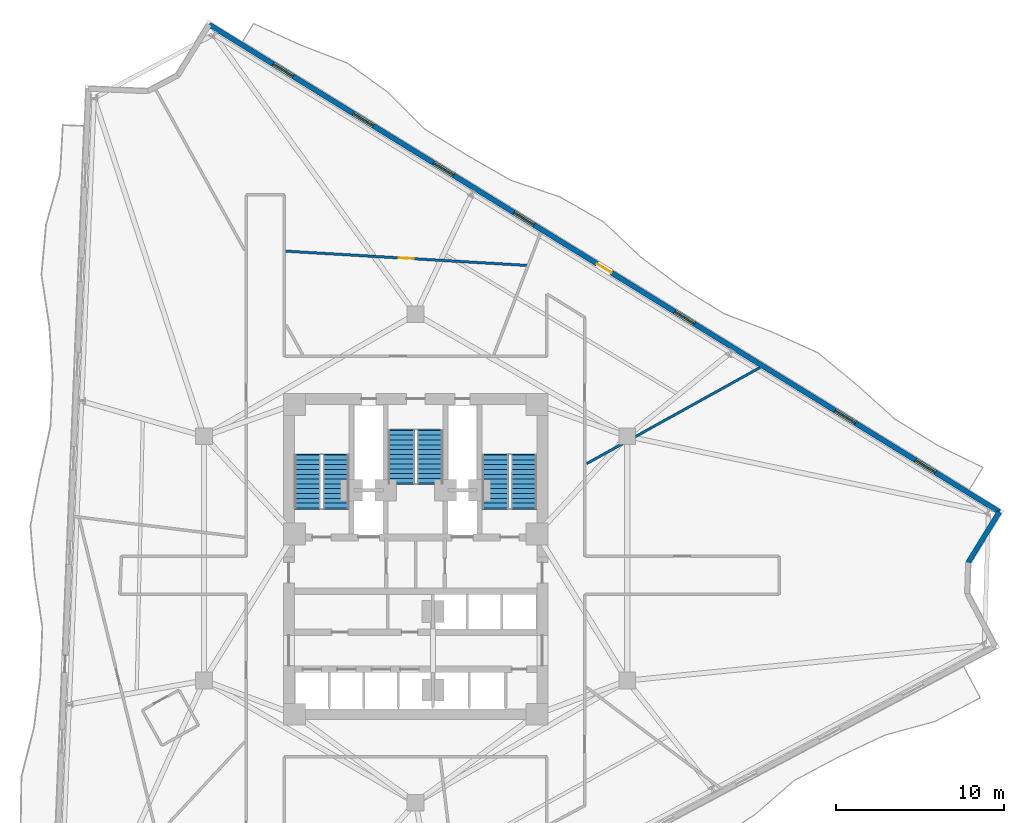
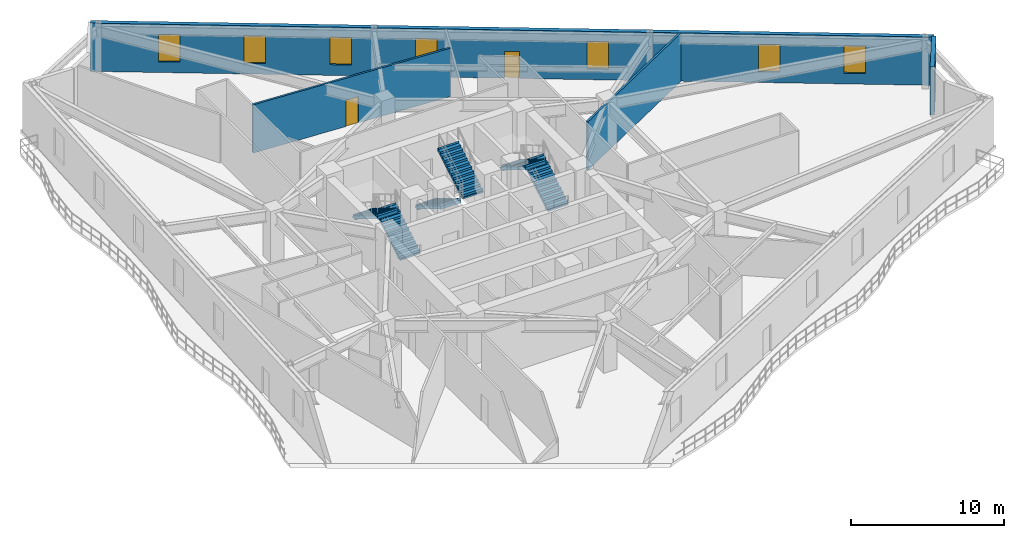
# One storey, part 8 of 12: 7 windows, 6 stair flights, 4 walls, 2 doors, 9 openings, 3 elements without a shape of their own.
"""IFC4 building model written with IfcOpenShell, lengths in metres."""

from ifc_helpers import new_model, si_unit, direction, frame, frame_2d, origin, place, context, subcontext, project, spatial, polyline, rectangle, outline, extrude, material, layer, layer_set, type_object, element, fill, aggregate, save


model = new_model("IFC4")

# Units and contexts
model_context = context("Model", 3, precision=1e-05, world=origin(), true_north=direction((0.0, 1.0)))
body_context = subcontext(model_context, "Body", "Model", "MODEL_VIEW")
ifc_project = project(units=[si_unit("LENGTHUNIT", "METRE"), si_unit("AREAUNIT", "SQUARE_METRE"), si_unit("VOLUMEUNIT", "CUBIC_METRE"), si_unit("PLANEANGLEUNIT", "RADIAN"), si_unit("MASSUNIT", "GRAM", prefix="KILO")], contexts=[model_context])

# Site, building, storey
site_placement = place(None, origin())
site = spatial("IfcSite", under=ifc_project, at=site_placement, CompositionType="ELEMENT")
building_placement = place(site_placement, origin())
building = spatial("IfcBuilding", under=site, at=building_placement, Name="Apsidion Concourse Tower", CompositionType="ELEMENT")
storey_placement = place(building_placement, frame((0.0, 0.0, 165.5)))
storey = spatial("IfcBuildingStorey", under=building, at=storey_placement, Name="L38", CompositionType="ELEMENT", Elevation=165.5)

# Wall, openings, door, windows
ifc_material_1 = material(Name="Precast concrete C40/50", Category="concrete")
ifc_layer_1 = layer(ifc_material_1, 0.300048828125)
ifc_layer_set_1 = layer_set([ifc_layer_1], Name="Precast concrete C40/50")
wall_type_1 = type_object("IfcWallType", Name="WL-EXT-300", PredefinedType="STANDARD", material=ifc_layer_set_1)
wall_1_placement = place(storey_placement, frame((-12.255126953125, 31.68896484375, 0.0), z_axis=(0.0, 0.0, 1.0), x_axis=(0.851166647402, -0.524895549944, 0.0)))
wall_1 = element("IfcWall", 1, at=wall_1_placement, inside=storey, type_object=wall_type_1, Name="L38 Precast Stone Facade Wall 01", PredefinedType="STANDARD", context=body_context, shape_type="SweptSolid", body=[
    extrude(rectangle(XDim=55.110595703125, YDim=0.300048828125, at=frame_2d((27.55517578125, 0.0))), origin(), (0.0, 0.0, 1.0), 3.85009765625),
])
opening_1_placement = place(wall_1_placement, frame((27.055419921875, 0.0, 0.0)))
opening_1 = element("IfcOpeningElement", 2, at=opening_1_placement, cuts=wall_1, Name="Opening D-T1L", PredefinedType="OPENING", context=body_context, shape_type="SweptSolid", body=[
    extrude(rectangle(XDim=1.0, YDim=2.14990234375, at=frame_2d((0.5, 1.074951171875))), frame((0.0, 0.16015625, 0.0), z_axis=(0.0, -1.0, 0.0), x_axis=(1.0, 0.0, 0.0)), (0.0, 0.0, 1.0), 0.320068359375),
])
opening_2_placement = place(wall_1_placement, frame((4.455322265625, 0.0, 0.85009765625)))
opening_2 = element("IfcOpeningElement", 3, at=opening_2_placement, cuts=wall_1, Name="Opening WN-05", PredefinedType="OPENING", context=body_context, shape_type="SweptSolid", body=[
    extrude(rectangle(XDim=1.39990234375, YDim=2.199951171875, at=frame_2d((0.699951171875, 1.10009765625))), frame((0.0, 0.16015625, 0.0), z_axis=(0.0, -1.0, 0.0), x_axis=(1.0, 0.0, 0.0)), (0.0, 0.0, 1.0), 0.320068359375),
])
opening_3_placement = place(wall_1_placement, frame((10.055419921875, 0.0, 0.85009765625)))
opening_3 = element("IfcOpeningElement", 4, at=opening_3_placement, cuts=wall_1, Name="Opening WN-05", PredefinedType="OPENING", context=body_context, shape_type="SweptSolid", body=[
    extrude(rectangle(XDim=1.39990234375, YDim=2.199951171875, at=frame_2d((0.699951171875, 1.10009765625))), frame((0.0, 0.16015625, 0.0), z_axis=(0.0, -1.0, 0.0), x_axis=(1.0, 0.0, 0.0)), (0.0, 0.0, 1.0), 0.320068359375),
])
opening_4_placement = place(wall_1_placement, frame((15.6552734375, 0.0, 0.85009765625)))
opening_4 = element("IfcOpeningElement", 5, at=opening_4_placement, cuts=wall_1, Name="Opening WN-05", PredefinedType="OPENING", context=body_context, shape_type="SweptSolid", body=[
    extrude(rectangle(XDim=1.39990234375, YDim=2.199951171875, at=frame_2d((0.699951171875, 1.10009765625))), frame((0.0, 0.16015625, 0.0), z_axis=(0.0, -1.0, 0.0), x_axis=(1.0, 0.0, 0.0)), (0.0, 0.0, 1.0), 0.320068359375),
])
opening_5_placement = place(wall_1_placement, frame((21.25537109375, 0.0, 0.85009765625)))
opening_5 = element("IfcOpeningElement", 6, at=opening_5_placement, cuts=wall_1, Name="Opening WN-05", PredefinedType="OPENING", context=body_context, shape_type="SweptSolid", body=[
    extrude(rectangle(XDim=1.39990234375, YDim=2.199951171875, at=frame_2d((0.699951171875, 1.10009765625))), frame((0.0, 0.16015625, 0.0), z_axis=(0.0, -1.0, 0.0), x_axis=(1.0, 0.0, 0.0)), (0.0, 0.0, 1.0), 0.320068359375),
])
opening_6_placement = place(wall_1_placement, frame((32.455322265625, 0.0, 0.85009765625)))
opening_6 = element("IfcOpeningElement", 7, at=opening_6_placement, cuts=wall_1, Name="Opening WN-05", PredefinedType="OPENING", context=body_context, shape_type="SweptSolid", body=[
    extrude(rectangle(XDim=1.39990234375, YDim=2.199951171875, at=frame_2d((0.699951171875, 1.10009765625))), frame((0.0, 0.16015625, 0.0), z_axis=(0.0, -1.0, 0.0), x_axis=(1.0, 0.0, 0.0)), (0.0, 0.0, 1.0), 0.320068359375),
])
opening_7_placement = place(wall_1_placement, frame((43.6552734375, 0.0, 0.85009765625)))
opening_7 = element("IfcOpeningElement", 8, at=opening_7_placement, cuts=wall_1, Name="Opening WN-05", PredefinedType="OPENING", context=body_context, shape_type="SweptSolid", body=[
    extrude(rectangle(XDim=1.39990234375, YDim=2.199951171875, at=frame_2d((0.699951171875, 1.10009765625))), frame((0.0, 0.16015625, 0.0), z_axis=(0.0, -1.0, 0.0), x_axis=(1.0, 0.0, 0.0)), (0.0, 0.0, 1.0), 0.320068359375),
])
opening_8_placement = place(wall_1_placement, frame((49.25537109375, 0.0, 0.85009765625)))
opening_8 = element("IfcOpeningElement", 9, at=opening_8_placement, cuts=wall_1, Name="Opening WN-05", PredefinedType="OPENING", context=body_context, shape_type="SweptSolid", body=[
    extrude(rectangle(XDim=1.39990234375, YDim=2.199951171875, at=frame_2d((0.699951171875, 1.10009765625))), frame((0.0, 0.16015625, 0.0), z_axis=(0.0, -1.0, 0.0), x_axis=(1.0, 0.0, 0.0)), (0.0, 0.0, 1.0), 0.320068359375),
])
ifc_material_2 = material(Name="Anodised aluminium EN AW-6063 T6", Category="aluminium")
door_type_1 = type_object("IfcDoorType", Name="DR-TER-1022L", OperationType="SINGLE_SWING_LEFT", PredefinedType="DOOR", material=ifc_material_2)
door_1_placement = place(opening_1_placement, origin())
door_1 = element("IfcDoor", 10, at=door_1_placement, inside=storey, type_object=door_type_1, Name="L38 Balcony Access Door 3", OperationType="SINGLE_SWING_LEFT", OverallHeight=2.14990234375, OverallWidth=1.0, PredefinedType="DOOR", context=body_context, shape_type="SweptSolid", body=[
    extrude(rectangle(XDim=1.0, YDim=2.14990234375, at=frame_2d((0.5, 1.074951171875))), frame((0.0, 0.02490234375, 0.0), z_axis=(0.0, -1.0, 0.0), x_axis=(1.0, 0.0, 0.0)), (0.0, 0.0, 1.0), 0.050048828125),
])
fill(opening_1, door_1)
ifc_material_3 = material(Name="Insulated laminated low-E glass", Category="glass")
window_type = type_object("IfcWindowType", Name="WN-OFF-1424", PartitioningType="SINGLE_PANEL", PredefinedType="WINDOW", material=ifc_material_3)
window_1_placement = place(opening_2_placement, origin())
window_1 = element("IfcWindow", 11, at=window_1_placement, inside=storey, type_object=window_type, Name="L38 Punched Facade Window 1-01", OverallHeight=2.199951171875, OverallWidth=1.39990234375, PartitioningType="SINGLE_PANEL", PredefinedType="WINDOW", context=body_context, shape_type="SweptSolid", body=[
    extrude(rectangle(XDim=1.39990234375, YDim=2.199951171875, at=frame_2d((0.699951171875, 1.10009765625))), frame((0.0, 0.030029296875, 0.0), z_axis=(0.0, -1.0, 0.0), x_axis=(1.0, 0.0, 0.0)), (0.0, 0.0, 1.0), 0.06005859375),
])
fill(opening_2, window_1)
window_2_placement = place(opening_3_placement, origin())
window_2 = element("IfcWindow", 12, at=window_2_placement, inside=storey, type_object=window_type, Name="L38 Punched Facade Window 1-02", OverallHeight=2.199951171875, OverallWidth=1.39990234375, PartitioningType="SINGLE_PANEL", PredefinedType="WINDOW", context=body_context, shape_type="SweptSolid", body=[
    extrude(rectangle(XDim=1.39990234375, YDim=2.199951171875, at=frame_2d((0.699951171875, 1.10009765625))), frame((0.0, 0.030029296875, 0.0), z_axis=(0.0, -1.0, 0.0), x_axis=(1.0, 0.0, 0.0)), (0.0, 0.0, 1.0), 0.06005859375),
])
fill(opening_3, window_2)
window_3_placement = place(opening_4_placement, origin())
window_3 = element("IfcWindow", 13, at=window_3_placement, inside=storey, type_object=window_type, Name="L38 Punched Facade Window 1-03", OverallHeight=2.199951171875, OverallWidth=1.39990234375, PartitioningType="SINGLE_PANEL", PredefinedType="WINDOW", context=body_context, shape_type="SweptSolid", body=[
    extrude(rectangle(XDim=1.39990234375, YDim=2.199951171875, at=frame_2d((0.699951171875, 1.10009765625))), frame((0.0, 0.030029296875, 0.0), z_axis=(0.0, -1.0, 0.0), x_axis=(1.0, 0.0, 0.0)), (0.0, 0.0, 1.0), 0.06005859375),
])
fill(opening_4, window_3)
window_4_placement = place(opening_5_placement, origin())
window_4 = element("IfcWindow", 14, at=window_4_placement, inside=storey, type_object=window_type, Name="L38 Punched Facade Window 1-04", OverallHeight=2.199951171875, OverallWidth=1.39990234375, PartitioningType="SINGLE_PANEL", PredefinedType="WINDOW", context=body_context, shape_type="SweptSolid", body=[
    extrude(rectangle(XDim=1.39990234375, YDim=2.199951171875, at=frame_2d((0.699951171875, 1.10009765625))), frame((0.0, 0.030029296875, 0.0), z_axis=(0.0, -1.0, 0.0), x_axis=(1.0, 0.0, 0.0)), (0.0, 0.0, 1.0), 0.06005859375),
])
fill(opening_5, window_4)
window_5_placement = place(opening_6_placement, origin())
window_5 = element("IfcWindow", 15, at=window_5_placement, inside=storey, type_object=window_type, Name="L38 Punched Facade Window 1-06", OverallHeight=2.199951171875, OverallWidth=1.39990234375, PartitioningType="SINGLE_PANEL", PredefinedType="WINDOW", context=body_context, shape_type="SweptSolid", body=[
    extrude(rectangle(XDim=1.39990234375, YDim=2.199951171875, at=frame_2d((0.699951171875, 1.10009765625))), frame((0.0, 0.030029296875, 0.0), z_axis=(0.0, -1.0, 0.0), x_axis=(1.0, 0.0, 0.0)), (0.0, 0.0, 1.0), 0.06005859375),
])
fill(opening_6, window_5)
window_6_placement = place(opening_7_placement, origin())
window_6 = element("IfcWindow", 16, at=window_6_placement, inside=storey, type_object=window_type, Name="L38 Punched Facade Window 1-08", OverallHeight=2.199951171875, OverallWidth=1.39990234375, PartitioningType="SINGLE_PANEL", PredefinedType="WINDOW", context=body_context, shape_type="SweptSolid", body=[
    extrude(rectangle(XDim=1.39990234375, YDim=2.199951171875, at=frame_2d((0.699951171875, 1.10009765625))), frame((0.0, 0.030029296875, 0.0), z_axis=(0.0, -1.0, 0.0), x_axis=(1.0, 0.0, 0.0)), (0.0, 0.0, 1.0), 0.06005859375),
])
fill(opening_7, window_6)
window_7_placement = place(opening_8_placement, origin())
window_7 = element("IfcWindow", 17, at=window_7_placement, inside=storey, type_object=window_type, Name="L38 Punched Facade Window 1-09", OverallHeight=2.199951171875, OverallWidth=1.39990234375, PartitioningType="SINGLE_PANEL", PredefinedType="WINDOW", context=body_context, shape_type="SweptSolid", body=[
    extrude(rectangle(XDim=1.39990234375, YDim=2.199951171875, at=frame_2d((0.699951171875, 1.10009765625))), frame((0.0, 0.030029296875, 0.0), z_axis=(0.0, -1.0, 0.0), x_axis=(1.0, 0.0, 0.0)), (0.0, 0.0, 1.0), 0.06005859375),
])
fill(opening_8, window_7)

# Walls
wall_2_placement = place(storey_placement, frame((34.653076171875, 2.76171875, 0.0), z_axis=(0.0, 0.0, 1.0), x_axis=(-0.524920336071, -0.85115136185, 0.0)))
element("IfcWall", 18, at=wall_2_placement, inside=storey, type_object=wall_type_1, Name="L38 Precast Stone Facade Wall 02", PredefinedType="STANDARD", context=body_context, shape_type="SweptSolid", body=[
    extrude(rectangle(XDim=3.541259765625, YDim=0.300048828125, at=frame_2d((1.7705078125, 0.0))), origin(), (0.0, 0.0, 1.0), 3.85009765625),
])
ifc_material_4 = material(Name="Gypsum plasterboard partition")
ifc_layer_2 = layer(ifc_material_4, 0.14990234375)
ifc_layer_set_2 = layer_set([ifc_layer_2], Name="Gypsum plasterboard partition")
wall_type_2 = type_object("IfcWallType", Name="WL-INT-PAR-150", PredefinedType="PARTITIONING", material=ifc_layer_set_2)
wall_3_placement = place(storey_placement, frame((10.155029296875, 5.62890625, 0.0), z_axis=(0.0, 0.0, 1.0), x_axis=(0.874619007446, 0.484810882524, 0.0)))
element("IfcWall", 19, at=wall_3_placement, inside=storey, type_object=wall_type_2, Name="L38 Interior Partition WL-L38-RAD-01-1", PredefinedType="PARTITIONING", context=body_context, shape_type="SweptSolid", body=[
    extrude(rectangle(XDim=11.76220703125, YDim=0.14990234375, at=frame_2d((5.881103515625, 0.0))), origin(), (0.0, 0.0, 1.0), 3.85009765625),
])

# Wall, opening, door
wall_4_placement = place(storey_placement, frame((6.649169921875, 17.3916015625, 0.0), z_axis=(0.0, 0.0, 1.0), x_axis=(-0.998251685382, 0.059106451699, 0.0)))
wall_4 = element("IfcWall", 20, at=wall_4_placement, inside=storey, type_object=wall_type_2, Name="L38 Interior Partition WL-L38-CHD-OFS05", PredefinedType="PARTITIONING", context=body_context, shape_type="SweptSolid", body=[
    extrude(rectangle(XDim=14.4443359375, YDim=0.14990234375, at=frame_2d((7.22216796875, 0.0))), origin(), (0.0, 0.0, 1.0), 3.85009765625),
])
opening_9_placement = place(wall_4_placement, frame((6.772216796875, 0.0, 0.0)))
opening_9 = element("IfcOpeningElement", 21, at=opening_9_placement, cuts=wall_4, Name="Opening D-02R", PredefinedType="OPENING", context=body_context, shape_type="SweptSolid", body=[
    extrude(rectangle(XDim=0.89990234375, YDim=2.10009765625, at=frame_2d((0.449951171875, 1.050048828125))), frame((0.0, 0.0849609375, 0.0), z_axis=(0.0, -1.0, 0.0), x_axis=(1.0, 0.0, 0.0)), (0.0, 0.0, 1.0), 0.169921875),
])
door_type_2 = type_object("IfcDoorType", Name="DR-INT-D02R", OperationType="SINGLE_SWING_RIGHT", PredefinedType="DOOR", material=ifc_material_2)
door_2_placement = place(opening_9_placement, origin())
door_2 = element("IfcDoor", 22, at=door_2_placement, inside=storey, type_object=door_type_2, Name="L38 Suite Connecting Door OFS05", OperationType="SINGLE_SWING_RIGHT", OverallHeight=2.10009765625, OverallWidth=0.89990234375, PredefinedType="DOOR", context=body_context, shape_type="SweptSolid", body=[
    extrude(rectangle(XDim=0.89990234375, YDim=2.10009765625, at=frame_2d((0.449951171875, 1.050048828125))), frame((0.0, 0.02490234375, 0.0), z_axis=(0.0, -1.0, 0.0), x_axis=(1.0, 0.0, 0.0)), (0.0, 0.0, 1.0), 0.050048828125),
])
fill(opening_9, door_2)

# Stair, stair flights
stair_type = type_object("IfcStairType", Name="ST-DL-1550", PredefinedType="HALF_TURN_STAIR", material=ifc_material_1)
stair_1_placement = place(storey_placement, origin())
stair_1 = element("IfcStair", 23, at=stair_1_placement, inside=storey, type_object=stair_type, Name="L38 Protected Core Exit Stair ST1", PredefinedType="HALF_TURN_STAIR")
stair_flight_type = type_object("IfcStairFlightType", Name="SFL-RC-1550", PredefinedType="STRAIGHT", material=ifc_material_1)
stair_flight_1_placement = place(storey_placement, frame((-4.72509765625, 3.0, 0.0), z_axis=(0.0, 0.0, 1.0), x_axis=(0.0, 1.0, 0.0)))
stair_flight_1 = element("IfcStairFlight", 24, at=stair_flight_1_placement, type_object=stair_flight_type, Name="ST1 flight 1", NumberOfRisers=12, NumberOfTreads=11, PredefinedType="STRAIGHT", RiserHeight=0.170833333, TreadLength=0.285, context=body_context, shape_type="SweptSolid", body=[
    extrude(outline(polyline([(-0.080078125, -0.1123046875), (-0.080078125, 0.0), (0.0, 0.0), (0.0, 0.1708984375), (0.284912109375, 0.1708984375), (0.284912109375, 0.341552734375), (0.570068359375, 0.341552734375), (0.570068359375, 0.512451171875), (0.85498046875, 0.512451171875), (0.85498046875, 0.683349609375), (1.139892578125, 0.683349609375), (1.139892578125, 0.854248046875), (1.425048828125, 0.854248046875), (1.425048828125, 1.02490234375), (1.7099609375, 1.02490234375), (1.7099609375, 1.19580078125), (1.9951171875, 1.19580078125), (1.9951171875, 1.36669921875), (2.280029296875, 1.36669921875), (2.280029296875, 1.53759765625), (2.56494140625, 1.53759765625), (2.56494140625, 1.708251953125), (2.85009765625, 1.708251953125), (2.85009765625, 1.879150390625), (3.135009765625, 1.879150390625), (3.135009765625, 2.050048828125), (3.215087890625, 1.964599609375), (3.215087890625, 1.704345703125), (3.135009765625, 1.704345703125), (0.29150390625, 0.0), (0.29150390625, -0.1123046875), (-0.080078125, -0.1123046875)])), frame((0.0, 0.77490234375, 0.0), z_axis=(0.0, -1.0, 0.0), x_axis=(1.0, 0.0, 0.0)), (0.0, 0.0, 1.0), 1.550048828125),
])
stair_flight_2_placement = place(storey_placement, frame((-6.425048828125, 6.135009765625, 2.050048828125), z_axis=(0.0, 0.0, 1.0), x_axis=(0.0, -1.0, 0.0)))
stair_flight_2 = element("IfcStairFlight", 25, at=stair_flight_2_placement, type_object=stair_flight_type, Name="ST1 flight 2", NumberOfRisers=12, NumberOfTreads=11, PredefinedType="STRAIGHT", RiserHeight=0.170833333, TreadLength=0.285, context=body_context, shape_type="SweptSolid", body=[
    extrude(outline(polyline([(-0.080078125, -0.1123046875), (-0.080078125, 0.0), (0.0, 0.0), (0.0, 0.1708984375), (0.284912109375, 0.1708984375), (0.284912109375, 0.341552734375), (0.570068359375, 0.341552734375), (0.570068359375, 0.512451171875), (0.85498046875, 0.512451171875), (0.85498046875, 0.683349609375), (1.139892578125, 0.683349609375), (1.139892578125, 0.854248046875), (1.425048828125, 0.854248046875), (1.425048828125, 1.02490234375), (1.7099609375, 1.02490234375), (1.7099609375, 1.19580078125), (1.9951171875, 1.19580078125), (1.9951171875, 1.36669921875), (2.280029296875, 1.36669921875), (2.280029296875, 1.53759765625), (2.56494140625, 1.53759765625), (2.56494140625, 1.708251953125), (2.85009765625, 1.708251953125), (2.85009765625, 1.879150390625), (3.135009765625, 1.879150390625), (3.135009765625, 2.050048828125), (3.215087890625, 1.964599609375), (3.215087890625, 1.704345703125), (3.135009765625, 1.704345703125), (0.29150390625, 0.0), (0.29150390625, -0.1123046875), (-0.080078125, -0.1123046875)])), frame((0.0, 0.77490234375, 0.0), z_axis=(0.0, -1.0, 0.0), x_axis=(1.0, 0.0, 0.0)), (0.0, 0.0, 1.0), 1.550048828125),
])
aggregate(stair_1, [stair_flight_1, stair_flight_2])

stair_2_placement = place(storey_placement, origin())
stair_2 = element("IfcStair", 26, at=stair_2_placement, inside=storey, type_object=stair_type, Name="L38 Protected Core Exit Stair ST2", PredefinedType="HALF_TURN_STAIR")
stair_flight_3_placement = place(storey_placement, frame((6.425048828125, 3.0, 0.0), z_axis=(0.0, 0.0, 1.0), x_axis=(0.0, 1.0, 0.0)))
stair_flight_3 = element("IfcStairFlight", 27, at=stair_flight_3_placement, type_object=stair_flight_type, Name="ST2 flight 1", NumberOfRisers=12, NumberOfTreads=11, PredefinedType="STRAIGHT", RiserHeight=0.170833333, TreadLength=0.285, context=body_context, shape_type="SweptSolid", body=[
    extrude(outline(polyline([(-0.080078125, -0.1123046875), (-0.080078125, 0.0), (0.0, 0.0), (0.0, 0.1708984375), (0.284912109375, 0.1708984375), (0.284912109375, 0.341552734375), (0.570068359375, 0.341552734375), (0.570068359375, 0.512451171875), (0.85498046875, 0.512451171875), (0.85498046875, 0.683349609375), (1.139892578125, 0.683349609375), (1.139892578125, 0.854248046875), (1.425048828125, 0.854248046875), (1.425048828125, 1.02490234375), (1.7099609375, 1.02490234375), (1.7099609375, 1.19580078125), (1.9951171875, 1.19580078125), (1.9951171875, 1.36669921875), (2.280029296875, 1.36669921875), (2.280029296875, 1.53759765625), (2.56494140625, 1.53759765625), (2.56494140625, 1.708251953125), (2.85009765625, 1.708251953125), (2.85009765625, 1.879150390625), (3.135009765625, 1.879150390625), (3.135009765625, 2.050048828125), (3.215087890625, 1.964599609375), (3.215087890625, 1.704345703125), (3.135009765625, 1.704345703125), (0.29150390625, 0.0), (0.29150390625, -0.1123046875), (-0.080078125, -0.1123046875)])), frame((0.0, 0.77490234375, 0.0), z_axis=(0.0, -1.0, 0.0), x_axis=(1.0, 0.0, 0.0)), (0.0, 0.0, 1.0), 1.550048828125),
])
stair_flight_4_placement = place(storey_placement, frame((4.72509765625, 6.135009765625, 2.050048828125), z_axis=(0.0, 0.0, 1.0), x_axis=(0.0, -1.0, 0.0)))
stair_flight_4 = element("IfcStairFlight", 28, at=stair_flight_4_placement, type_object=stair_flight_type, Name="ST2 flight 2", NumberOfRisers=12, NumberOfTreads=11, PredefinedType="STRAIGHT", RiserHeight=0.170833333, TreadLength=0.285, context=body_context, shape_type="SweptSolid", body=[
    extrude(outline(polyline([(-0.080078125, -0.1123046875), (-0.080078125, 0.0), (0.0, 0.0), (0.0, 0.1708984375), (0.284912109375, 0.1708984375), (0.284912109375, 0.341552734375), (0.570068359375, 0.341552734375), (0.570068359375, 0.512451171875), (0.85498046875, 0.512451171875), (0.85498046875, 0.683349609375), (1.139892578125, 0.683349609375), (1.139892578125, 0.854248046875), (1.425048828125, 0.854248046875), (1.425048828125, 1.02490234375), (1.7099609375, 1.02490234375), (1.7099609375, 1.19580078125), (1.9951171875, 1.19580078125), (1.9951171875, 1.36669921875), (2.280029296875, 1.36669921875), (2.280029296875, 1.53759765625), (2.56494140625, 1.53759765625), (2.56494140625, 1.708251953125), (2.85009765625, 1.708251953125), (2.85009765625, 1.879150390625), (3.135009765625, 1.879150390625), (3.135009765625, 2.050048828125), (3.215087890625, 1.964599609375), (3.215087890625, 1.704345703125), (3.135009765625, 1.704345703125), (0.29150390625, 0.0), (0.29150390625, -0.1123046875), (-0.080078125, -0.1123046875)])), frame((0.0, 0.77490234375, 0.0), z_axis=(0.0, -1.0, 0.0), x_axis=(1.0, 0.0, 0.0)), (0.0, 0.0, 1.0), 1.550048828125),
])
aggregate(stair_2, [stair_flight_3, stair_flight_4])

stair_3_placement = place(storey_placement, origin())
stair_3 = element("IfcStair", 29, at=stair_3_placement, inside=storey, type_object=stair_type, Name="L38 Protected Core Exit Stair ST3", PredefinedType="HALF_TURN_STAIR")
stair_flight_5_placement = place(storey_placement, frame((-0.85009765625, 7.60009765625, 0.0), z_axis=(0.0, 0.0, 1.0), x_axis=(0.0, -1.0, 0.0)))
stair_flight_5 = element("IfcStairFlight", 30, at=stair_flight_5_placement, type_object=stair_flight_type, Name="ST3 flight 1", NumberOfRisers=12, NumberOfTreads=11, PredefinedType="STRAIGHT", RiserHeight=0.170833333, TreadLength=0.285, context=body_context, shape_type="SweptSolid", body=[
    extrude(outline(polyline([(-0.080078125, -0.1123046875), (-0.080078125, 0.0), (0.0, 0.0), (0.0, 0.1708984375), (0.284912109375, 0.1708984375), (0.284912109375, 0.341552734375), (0.570068359375, 0.341552734375), (0.570068359375, 0.512451171875), (0.85498046875, 0.512451171875), (0.85498046875, 0.683349609375), (1.139892578125, 0.683349609375), (1.139892578125, 0.854248046875), (1.425048828125, 0.854248046875), (1.425048828125, 1.02490234375), (1.7099609375, 1.02490234375), (1.7099609375, 1.19580078125), (1.9951171875, 1.19580078125), (1.9951171875, 1.36669921875), (2.280029296875, 1.36669921875), (2.280029296875, 1.53759765625), (2.56494140625, 1.53759765625), (2.56494140625, 1.708251953125), (2.85009765625, 1.708251953125), (2.85009765625, 1.879150390625), (3.135009765625, 1.879150390625), (3.135009765625, 2.050048828125), (3.215087890625, 1.964599609375), (3.215087890625, 1.704345703125), (3.135009765625, 1.704345703125), (0.29150390625, 0.0), (0.29150390625, -0.1123046875), (-0.080078125, -0.1123046875)])), frame((0.0, 0.77490234375, 0.0), z_axis=(0.0, -1.0, 0.0), x_axis=(1.0, 0.0, 0.0)), (0.0, 0.0, 1.0), 1.550048828125),
])
stair_flight_6_placement = place(storey_placement, frame((0.85009765625, 4.465087890625, 2.050048828125), z_axis=(0.0, 0.0, 1.0), x_axis=(0.0, 1.0, 0.0)))
stair_flight_6 = element("IfcStairFlight", 31, at=stair_flight_6_placement, type_object=stair_flight_type, Name="ST3 flight 2", NumberOfRisers=12, NumberOfTreads=11, PredefinedType="STRAIGHT", RiserHeight=0.170833333, TreadLength=0.285, context=body_context, shape_type="SweptSolid", body=[
    extrude(outline(polyline([(-0.080078125, -0.1123046875), (-0.080078125, 0.0), (0.0, 0.0), (0.0, 0.1708984375), (0.284912109375, 0.1708984375), (0.284912109375, 0.341552734375), (0.570068359375, 0.341552734375), (0.570068359375, 0.512451171875), (0.85498046875, 0.512451171875), (0.85498046875, 0.683349609375), (1.139892578125, 0.683349609375), (1.139892578125, 0.854248046875), (1.425048828125, 0.854248046875), (1.425048828125, 1.02490234375), (1.7099609375, 1.02490234375), (1.7099609375, 1.19580078125), (1.9951171875, 1.19580078125), (1.9951171875, 1.36669921875), (2.280029296875, 1.36669921875), (2.280029296875, 1.53759765625), (2.56494140625, 1.53759765625), (2.56494140625, 1.708251953125), (2.85009765625, 1.708251953125), (2.85009765625, 1.879150390625), (3.135009765625, 1.879150390625), (3.135009765625, 2.050048828125), (3.215087890625, 1.964599609375), (3.215087890625, 1.704345703125), (3.135009765625, 1.704345703125), (0.29150390625, 0.0), (0.29150390625, -0.1123046875), (-0.080078125, -0.1123046875)])), frame((0.0, 0.77490234375, 0.0), z_axis=(0.0, -1.0, 0.0), x_axis=(1.0, 0.0, 0.0)), (0.0, 0.0, 1.0), 1.550048828125),
])
aggregate(stair_3, [stair_flight_5, stair_flight_6])

save(model, "model.ifc")
